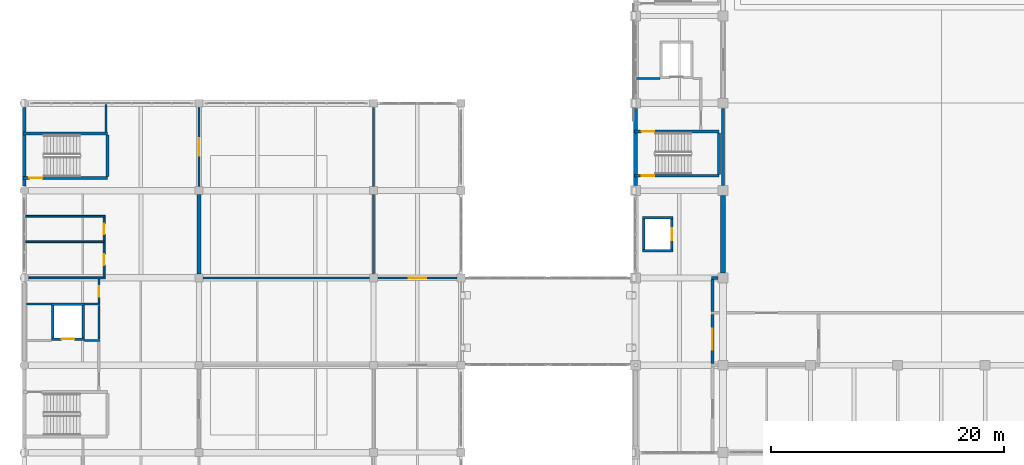
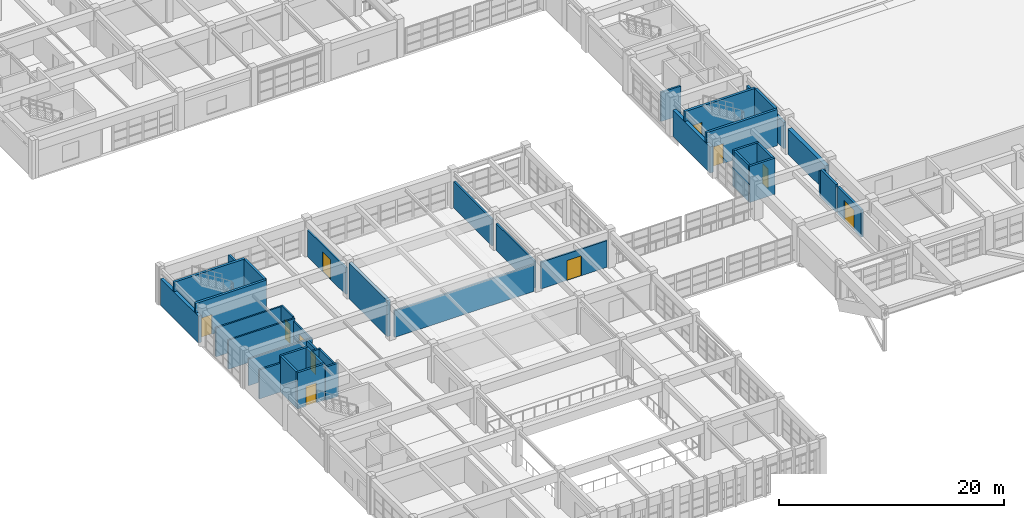
# One storey, part 100 of 132: 39 walls, 11 doors, 11 openings.
"""IFC4 building model written with IfcOpenShell, lengths in metres."""

from ifc_helpers import new_model, si_unit, direction, frame, frame_2d, origin, place, context, subcontext, project, spatial, rectangle, extrude, material, layer, layer_set, type_object, element, fill, save


model = new_model("IFC4")

# Units and contexts
model_context = context("Model", 3, precision=1e-05, world=origin(), true_north=direction((0.0, 1.0)))
body_context = subcontext(model_context, "Body", "Model", "MODEL_VIEW")
ifc_project = project(units=[si_unit("LENGTHUNIT", "METRE"), si_unit("AREAUNIT", "SQUARE_METRE"), si_unit("VOLUMEUNIT", "CUBIC_METRE"), si_unit("PLANEANGLEUNIT", "RADIAN"), si_unit("MASSUNIT", "GRAM", prefix="KILO")], contexts=[model_context])

# Site, building, storey
site_placement = place(None, origin())
site = spatial("IfcSite", under=ifc_project, at=site_placement, CompositionType="ELEMENT")
building_placement = place(site_placement, origin())
building = spatial("IfcBuilding", under=site, at=building_placement, Name="Qasida Concert Hall", CompositionType="ELEMENT")
storey_placement = place(building_placement, frame((0.0, 0.0, 4.800048828125)))
storey = spatial("IfcBuildingStorey", under=building, at=storey_placement, Name="L01", CompositionType="ELEMENT", Elevation=4.800048828125)

# Walls
ifc_material_1 = material(Name="Concrete C40/50", Category="concrete")
ifc_layer_1 = layer(ifc_material_1, 0.219970703125, Name="Concrete C40/50")
ifc_layer_set_1 = layer_set([ifc_layer_1], Name="Concrete C40/50")
wall_type_1 = type_object("IfcWallType", Name="WL-CW-220", PredefinedType="SOLIDWALL", material=ifc_layer_set_1)
for number, where, z_axis, x_axis, name in (
    (1, (53.090087890625, 39.85009765625, 0.0), (0.0, 0.0, 1.0), (1.0, 0.0, 0.0), "L01 LF-01 lift shaft wall S"),
    (2, (53.090087890625, 42.64990234375, 0.0), (0.0, 0.0, 1.0), (1.0, 0.0, 0.0), "L01 LF-01 lift shaft wall N"),
):
    element("IfcWall", number, at=place(storey_placement, frame(where, z_axis=z_axis, x_axis=x_axis)), inside=storey, type_object=wall_type_1, Name=name, PredefinedType="SOLIDWALL", context=body_context, shape_type="SweptSolid", body=[
        extrude(rectangle(XDim=2.619873046875, YDim=0.219970703125, at=frame_2d((1.31005859375, 0.0))), origin(), (0.0, 0.0, 1.0), 3.919921875),
    ])
wall_1_placement = place(storey_placement, frame((53.199951171875, 39.9599609375, 0.0), z_axis=(0.0, 0.0, 1.0), x_axis=(0.0, 1.0, 0.0)))
element("IfcWall", 3, at=wall_1_placement, inside=storey, type_object=wall_type_1, Name="L01 LF-01 lift shaft wall W", PredefinedType="SOLIDWALL", context=body_context, shape_type="SweptSolid", body=[
    extrude(rectangle(XDim=2.580078125, YDim=0.219970703125, at=frame_2d((1.2900390625, 0.0))), origin(), (0.0, 0.0, 1.0), 3.919921875),
])

# Wall, opening, door
wall_2_placement = place(storey_placement, frame((55.60009765625, 39.9599609375, 0.0), z_axis=(0.0, 0.0, 1.0), x_axis=(0.0, 1.0, 0.0)))
wall_2 = element("IfcWall", 4, at=wall_2_placement, inside=storey, type_object=wall_type_1, Name="L01 LF-01 lift shaft wall E", PredefinedType="SOLIDWALL", context=body_context, shape_type="SweptSolid", body=[
    extrude(rectangle(XDim=2.580078125, YDim=0.219970703125, at=frame_2d((1.2900390625, 0.0))), origin(), (0.0, 0.0, 1.0), 3.919921875),
])
opening_1_placement = place(wall_2_placement, frame((0.7900390625, 0.0, 0.0)))
opening_1 = element("IfcOpeningElement", 5, at=opening_1_placement, cuts=wall_2, Name="Opening LD-100", PredefinedType="OPENING", context=body_context, shape_type="SweptSolid", body=[
    extrude(rectangle(XDim=1.0, YDim=2.14990234375, at=frame_2d((0.5, 1.074951171875))), frame((0.0, 0.119873046875, 0.0), z_axis=(0.0, -1.0, 0.0), x_axis=(1.0, 0.0, 0.0)), (0.0, 0.0, 1.0), 0.239990234375),
])
ifc_material_2 = material(Name="Brushed bronze passenger lift landing door", Category="steel")
door_type_1 = type_object("IfcDoorType", Name="LD-100", OperationType="SLIDING_TO_LEFT", PredefinedType="DOOR", material=ifc_material_2)
door_1_placement = place(opening_1_placement, origin())
door_1 = element("IfcDoor", 6, at=door_1_placement, inside=storey, type_object=door_type_1, Name="Lift landing door LF-01 L01", OperationType="SLIDING_TO_LEFT", OverallHeight=2.14990234375, OverallWidth=1.0, PredefinedType="DOOR", context=body_context, shape_type="SweptSolid", body=[
    extrude(rectangle(XDim=1.0, YDim=2.14990234375, at=frame_2d((0.5, 1.074951171875))), frame((0.0, 0.02490234375, 0.0), z_axis=(0.0, -1.0, 0.0), x_axis=(1.0, 0.0, 0.0)), (0.0, 0.0, 1.0), 0.050048828125),
])
fill(opening_1, door_1)

wall_3_placement = place(storey_placement, frame((2.340087890625, 32.25, 0.0), z_axis=(0.0, 0.0, 1.0), x_axis=(1.0, 0.0, 0.0)))
wall_3 = element("IfcWall", 7, at=wall_3_placement, inside=storey, type_object=wall_type_1, Name="L01 LF-06 lift shaft wall S", PredefinedType="SOLIDWALL", context=body_context, shape_type="SweptSolid", body=[
    extrude(rectangle(XDim=2.81982421875, YDim=0.219970703125, at=frame_2d((1.409912109375, 0.0))), origin(), (0.0, 0.0, 1.0), 3.919921875),
])
opening_2_placement = place(wall_3_placement, frame((0.860107421875, 0.0, 0.0)))
opening_2 = element("IfcOpeningElement", 8, at=opening_2_placement, cuts=wall_3, Name="Opening LD-110", PredefinedType="OPENING", context=body_context, shape_type="SweptSolid", body=[
    extrude(rectangle(XDim=1.10009765625, YDim=2.14990234375, at=frame_2d((0.550048828125, 1.074951171875))), frame((0.0, 0.119873046875, 0.0), z_axis=(0.0, -1.0, 0.0), x_axis=(1.0, 0.0, 0.0)), (0.0, 0.0, 1.0), 0.239990234375),
])
ifc_material_3 = material(Name="Firefighting lift sliding landing door", Category="steel")
door_type_2 = type_object("IfcDoorType", Name="LD-110", OperationType="SLIDING_TO_LEFT", PredefinedType="DOOR", material=ifc_material_3)
door_2_placement = place(opening_2_placement, origin())
door_2 = element("IfcDoor", 9, at=door_2_placement, inside=storey, type_object=door_type_2, Name="Lift landing door LF-06 L01", OperationType="SLIDING_TO_LEFT", OverallHeight=2.14990234375, OverallWidth=1.10009765625, PredefinedType="DOOR", context=body_context, shape_type="SweptSolid", body=[
    extrude(rectangle(XDim=1.10009765625, YDim=2.14990234375, at=frame_2d((0.550048828125, 1.074951171875))), frame((0.0, 0.02490234375, 0.0), z_axis=(0.0, -1.0, 0.0), x_axis=(1.0, 0.0, 0.0)), (0.0, 0.0, 1.0), 0.050048828125),
])
fill(opening_2, door_2)

# Walls
wall_4_placement = place(storey_placement, frame((2.340087890625, 35.25, 0.0), z_axis=(0.0, 0.0, 1.0), x_axis=(1.0, 0.0, 0.0)))
element("IfcWall", 10, at=wall_4_placement, inside=storey, type_object=wall_type_1, Name="L01 LF-06 lift shaft wall N", PredefinedType="SOLIDWALL", context=body_context, shape_type="SweptSolid", body=[
    extrude(rectangle(XDim=2.81982421875, YDim=0.219970703125, at=frame_2d((1.409912109375, 0.0))), origin(), (0.0, 0.0, 1.0), 3.919921875),
])
for number, where, z_axis, x_axis, name in (
    (11, (2.449951171875, 32.360107421875, 0.0), (0.0, 0.0, 1.0), (0.0, 1.0, 0.0), "L01 LF-06 lift shaft wall W"),
    (12, (5.050048828125, 32.360107421875, 0.0), (0.0, 0.0, 1.0), (0.0, 1.0, 0.0), "L01 LF-06 lift shaft wall E"),
):
    element("IfcWall", number, at=place(storey_placement, frame(where, z_axis=z_axis, x_axis=x_axis)), inside=storey, type_object=wall_type_1, Name=name, PredefinedType="SOLIDWALL", context=body_context, shape_type="SweptSolid", body=[
        extrude(rectangle(XDim=2.77978515625, YDim=0.219970703125, at=frame_2d((1.389892578125, 0.0))), origin(), (0.0, 0.0, 1.0), 3.919921875),
    ])

# Wall, opening, door
ifc_layer_2 = layer(ifc_material_1, 0.25, Name="Concrete C40/50")
ifc_layer_set_2 = layer_set([ifc_layer_2], Name="Concrete C40/50")
wall_type_2 = type_object("IfcWallType", Name="WL-CW-250", PredefinedType="SOLIDWALL", material=ifc_layer_set_2)
wall_5_placement = place(storey_placement, frame((52.3798828125, 46.27490234375, 0.0), z_axis=(0.0, 0.0, 1.0), x_axis=(1.0, 0.0, 0.0)))
wall_5 = element("IfcWall", 13, at=wall_5_placement, inside=storey, type_object=wall_type_2, Name="L01 ST-01 stairwell wall S", PredefinedType="SOLIDWALL", context=body_context, shape_type="SweptSolid", body=[
    extrude(rectangle(XDim=7.260009765625, YDim=0.25, at=frame_2d((3.6298828125, 0.0))), origin(), (0.0, 0.0, 1.0), 3.919921875),
])
opening_3_placement = place(wall_5_placement, frame((0.6201171875, 0.0, 0.0)))
opening_3 = element("IfcOpeningElement", 14, at=opening_3_placement, cuts=wall_5, Name="Opening FD-110", PredefinedType="OPENING", context=body_context, shape_type="SweptSolid", body=[
    extrude(rectangle(XDim=1.10009765625, YDim=2.14990234375, at=frame_2d((0.550048828125, 1.074951171875))), frame((0.0, 0.135009765625, 0.0), z_axis=(0.0, -1.0, 0.0), x_axis=(1.0, 0.0, 0.0)), (0.0, 0.0, 1.0), 0.27001953125),
])
ifc_material_4 = material(Name="Steel fire-rated stair/lobby door set", Category="steel")
door_type_3 = type_object("IfcDoorType", Name="FD-110", OperationType="NOTDEFINED", PredefinedType="DOOR", material=ifc_material_4)
door_3_placement = place(opening_3_placement, origin())
door_3 = element("IfcDoor", 15, at=door_3_placement, inside=storey, type_object=door_type_3, Name="L01 ST-01 rated stair door", OperationType="SINGLE_SWING_LEFT", OverallHeight=2.14990234375, OverallWidth=1.10009765625, PredefinedType="DOOR", context=body_context, shape_type="SweptSolid", body=[
    extrude(rectangle(XDim=1.10009765625, YDim=2.14990234375, at=frame_2d((0.550048828125, 1.074951171875))), frame((0.0, 0.02490234375, 0.0), z_axis=(0.0, -1.0, 0.0), x_axis=(1.0, 0.0, 0.0)), (0.0, 0.0, 1.0), 0.050048828125),
])
fill(opening_3, door_3)

wall_6_placement = place(storey_placement, frame((52.3798828125, 50.0849609375, 0.0), z_axis=(0.0, 0.0, 1.0), x_axis=(1.0, 0.0, 0.0)))
wall_6 = element("IfcWall", 16, at=wall_6_placement, inside=storey, type_object=wall_type_2, Name="L01 ST-01 stairwell wall N", PredefinedType="SOLIDWALL", context=body_context, shape_type="SweptSolid", body=[
    extrude(rectangle(XDim=7.260009765625, YDim=0.25, at=frame_2d((3.6298828125, 0.0))), origin(), (0.0, 0.0, 1.0), 3.919921875),
])
opening_4_placement = place(wall_6_placement, frame((0.6201171875, 0.0, 0.0)))
opening_4 = element("IfcOpeningElement", 17, at=opening_4_placement, cuts=wall_6, Name="Opening FD-110", PredefinedType="OPENING", context=body_context, shape_type="SweptSolid", body=[
    extrude(rectangle(XDim=1.10009765625, YDim=2.14990234375, at=frame_2d((0.550048828125, 1.074951171875))), frame((0.0, 0.135009765625, 0.0), z_axis=(0.0, -1.0, 0.0), x_axis=(1.0, 0.0, 0.0)), (0.0, 0.0, 1.0), 0.27001953125),
])
door_4_placement = place(opening_4_placement, frame((1.10009765625, 0.0, 0.0), z_axis=(0.0, 0.0, 1.0), x_axis=(-1.0, 0.0, 0.0)))
door_4 = element("IfcDoor", 18, at=door_4_placement, inside=storey, type_object=door_type_3, Name="L01 ST-01 rated stair door", OperationType="SINGLE_SWING_RIGHT", OverallHeight=2.14990234375, OverallWidth=1.10009765625, PredefinedType="DOOR", context=body_context, shape_type="SweptSolid", body=[
    extrude(rectangle(XDim=1.10009765625, YDim=2.14990234375, at=frame_2d((0.550048828125, 1.074951171875))), frame((0.0, 0.02490234375, 0.0), z_axis=(0.0, -1.0, 0.0), x_axis=(1.0, 0.0, 0.0)), (0.0, 0.0, 1.0), 0.050048828125),
])
fill(opening_4, door_4)

# Wall
wall_7_placement = place(storey_placement, frame((59.64501953125, 46.39990234375, 0.0), z_axis=(0.0, 0.0, 1.0), x_axis=(0.0, 1.0, 0.0)))
element("IfcWall", 19, at=wall_7_placement, inside=storey, type_object=wall_type_2, Name="L01 ST-01 stairwell wall E", PredefinedType="SOLIDWALL", context=body_context, shape_type="SweptSolid", body=[
    extrude(rectangle(XDim=3.56005859375, YDim=0.25, at=frame_2d((1.780029296875, 0.0))), origin(), (0.0, 0.0, 1.0), 3.919921875),
])

# Wall, opening, door
wall_8_placement = place(storey_placement, frame((-0.1201171875, 46.074951171875, 0.0), z_axis=(0.0, 0.0, 1.0), x_axis=(1.0, 0.0, 0.0)))
wall_8 = element("IfcWall", 20, at=wall_8_placement, inside=storey, type_object=wall_type_2, Name="L01 ST-04 stairwell wall S", PredefinedType="SOLIDWALL", context=body_context, shape_type="SweptSolid", body=[
    extrude(rectangle(XDim=7.260009765625, YDim=0.25, at=frame_2d((3.6298828125, 0.0))), origin(), (0.0, 0.0, 1.0), 3.919921875),
])
opening_5_placement = place(wall_8_placement, frame((0.56005859375, 0.0, 0.0)))
opening_5 = element("IfcOpeningElement", 21, at=opening_5_placement, cuts=wall_8, Name="Opening FD-110", PredefinedType="OPENING", context=body_context, shape_type="SweptSolid", body=[
    extrude(rectangle(XDim=1.10009765625, YDim=2.14990234375, at=frame_2d((0.550048828125, 1.074951171875))), frame((0.0, 0.135009765625, 0.0), z_axis=(0.0, -1.0, 0.0), x_axis=(1.0, 0.0, 0.0)), (0.0, 0.0, 1.0), 0.27001953125),
])
door_5_placement = place(opening_5_placement, origin())
door_5 = element("IfcDoor", 22, at=door_5_placement, inside=storey, type_object=door_type_3, Name="L01 ST-04 rated stair door", OperationType="SINGLE_SWING_LEFT", OverallHeight=2.14990234375, OverallWidth=1.10009765625, PredefinedType="DOOR", context=body_context, shape_type="SweptSolid", body=[
    extrude(rectangle(XDim=1.10009765625, YDim=2.14990234375, at=frame_2d((0.550048828125, 1.074951171875))), frame((0.0, 0.02490234375, 0.0), z_axis=(0.0, -1.0, 0.0), x_axis=(1.0, 0.0, 0.0)), (0.0, 0.0, 1.0), 0.050048828125),
])
fill(opening_5, door_5)

# Walls
wall_9_placement = place(storey_placement, frame((-0.1201171875, 49.885009765625, 0.0), z_axis=(0.0, 0.0, 1.0), x_axis=(1.0, 0.0, 0.0)))
element("IfcWall", 23, at=wall_9_placement, inside=storey, type_object=wall_type_2, Name="L01 ST-04 stairwell wall N", PredefinedType="SOLIDWALL", context=body_context, shape_type="SweptSolid", body=[
    extrude(rectangle(XDim=7.260009765625, YDim=0.25, at=frame_2d((3.6298828125, 0.0))), origin(), (0.0, 0.0, 1.0), 3.919921875),
])
wall_10_placement = place(storey_placement, frame((7.14501953125, 46.199951171875, 0.0), z_axis=(0.0, 0.0, 1.0), x_axis=(0.0, 1.0, 0.0)))
element("IfcWall", 24, at=wall_10_placement, inside=storey, type_object=wall_type_2, Name="L01 ST-04 stairwell wall E", PredefinedType="SOLIDWALL", context=body_context, shape_type="SweptSolid", body=[
    extrude(rectangle(XDim=3.56005859375, YDim=0.25, at=frame_2d((1.780029296875, 0.0))), origin(), (0.0, 0.0, 1.0), 3.919921875),
])
ifc_material_5 = material(Name="Precast concrete C40/50", Category="concrete")
ifc_layer_3 = layer(ifc_material_5, 0.320068359375, Name="Precast concrete C40/50")
ifc_layer_set_3 = layer_set([ifc_layer_3], Name="Precast concrete C40/50")
wall_type_3 = type_object("IfcWallType", Name="WL-EW-320", PredefinedType="SOLIDWALL", material=ifc_layer_set_3)
wall_11_placement = place(storey_placement, frame((0.0, 45.385009765625, 0.0), z_axis=(0.0, 0.0, 1.0), x_axis=(0.0, 1.0, 0.0)))
element("IfcWall", 25, at=wall_11_placement, inside=storey, type_object=wall_type_3, Name="L01 exterior wall EW-320 0127", PredefinedType="SOLIDWALL", context=body_context, shape_type="SweptSolid", body=[
    extrude(rectangle(XDim=6.72998046875, YDim=0.320068359375, at=frame_2d((3.364990234375, 0.0))), origin(), (0.0, 0.0, 1.0), 2.889892578125),
])
ifc_layer_4 = layer(ifc_material_5, 0.340087890625, Name="Precast concrete C40/50")
ifc_layer_set_4 = layer_set([ifc_layer_4], Name="Precast concrete C40/50")
wall_type_4 = type_object("IfcWallType", Name="WL-EW-340", PredefinedType="SOLIDWALL", material=ifc_layer_set_4)
wall_12_placement = place(storey_placement, frame((52.5, 45.43505859375, 0.0), z_axis=(0.0, 0.0, 1.0), x_axis=(0.0, 1.0, 0.0)))
element("IfcWall", 26, at=wall_12_placement, inside=storey, type_object=wall_type_4, Name="L01 exterior wall EW-340 0033", PredefinedType="SOLIDWALL", context=body_context, shape_type="SweptSolid", body=[
    extrude(rectangle(XDim=6.6298828125, YDim=0.340087890625, at=frame_2d((3.31494140625, 0.0))), origin(), (0.0, 0.0, 1.0), 2.83984375),
])
ifc_material_6 = material(Name="Moisture-resistant gypsum partition", Category="gypsum")
ifc_layer_5 = layer(ifc_material_6, 0.159912109375, Name="Moisture-resistant gypsum partition")
ifc_layer_set_5 = layer_set([ifc_layer_5], Name="Moisture-resistant gypsum partition")
wall_type_5 = type_object("IfcWallType", Name="WL-PW-160", PredefinedType="PARTITIONING", material=ifc_layer_set_5)
wall_13_placement = place(storey_placement, frame((0.388916015625, 37.5, 0.0), z_axis=(0.0, 0.0, 1.0), x_axis=(1.0, 0.0, 0.0)))
element("IfcWall", 27, at=wall_13_placement, inside=storey, type_object=wall_type_5, Name="L01 partition PW-160 0126", PredefinedType="PARTITIONING", context=body_context, shape_type="SweptSolid", body=[
    extrude(rectangle(XDim=6.56103515625, YDim=0.159912109375, at=frame_2d((3.280517578125, 0.0))), origin(), (0.0, 0.0, 1.0), 2.889892578125),
])
for number, where, z_axis, x_axis, name in (
    (28, (0.112060546875, 40.60009765625, 0.0), (0.0, 0.0, 1.0), (1.0, 0.0, 0.0), "L01 partition PW-160 0130"),
    (29, (0.112060546875, 42.800048828125, 0.0), (0.0, 0.0, 1.0), (1.0, 0.0, 0.0), "L01 partition PW-160 0131"),
):
    element("IfcWall", number, at=place(storey_placement, frame(where, z_axis=z_axis, x_axis=x_axis)), inside=storey, type_object=wall_type_5, Name=name, PredefinedType="PARTITIONING", context=body_context, shape_type="SweptSolid", body=[
        extrude(rectangle(XDim=6.837890625, YDim=0.159912109375, at=frame_2d((3.4189453125, 0.0))), origin(), (0.0, 0.0, 1.0), 3.139892578125),
    ])

# Wall, opening, door
wall_14_placement = place(storey_placement, frame((6.85009765625, 37.593994140625, 0.0), z_axis=(0.0, 0.0, 1.0), x_axis=(0.0, 1.0, 0.0)))
wall_14 = element("IfcWall", 30, at=wall_14_placement, inside=storey, type_object=wall_type_5, Name="L01 partition PW-160 0132", PredefinedType="PARTITIONING", context=body_context, shape_type="SweptSolid", body=[
    extrude(rectangle(XDim=2.912109375, YDim=0.159912109375, at=frame_2d((1.4560546875, 0.0))), origin(), (0.0, 0.0, 1.0), 2.889892578125),
])
opening_6_placement = place(wall_14_placement, frame((0.98095703125, 0.0, 0.0)))
opening_6 = element("IfcOpeningElement", 31, at=opening_6_placement, cuts=wall_14, Name="Opening ID-095", PredefinedType="OPENING", context=body_context, shape_type="SweptSolid", body=[
    extrude(rectangle(XDim=0.949951171875, YDim=2.10009765625, at=frame_2d((0.47509765625, 1.050048828125))), frame((0.0, 0.08984375, 0.0), z_axis=(0.0, -1.0, 0.0), x_axis=(1.0, 0.0, 0.0)), (0.0, 0.0, 1.0), 0.179931640625),
])
ifc_material_7 = material(Name="Quarter-sawn oak accessible WC door", Category="wood")
door_type_4 = type_object("IfcDoorType", Name="ID-095", OperationType="NOTDEFINED", PredefinedType="DOOR", material=ifc_material_7)
door_6_placement = place(opening_6_placement, origin())
door_6 = element("IfcDoor", 32, at=door_6_placement, inside=storey, type_object=door_type_4, Name="L01 Accessible WC door", OperationType="SINGLE_SWING_LEFT", OverallHeight=2.10009765625, OverallWidth=0.949951171875, PredefinedType="DOOR", context=body_context, shape_type="SweptSolid", body=[
    extrude(rectangle(XDim=0.949951171875, YDim=2.10009765625, at=frame_2d((0.47509765625, 1.050048828125))), frame((0.0, 0.02490234375, 0.0), z_axis=(0.0, -1.0, 0.0), x_axis=(1.0, 0.0, 0.0)), (0.0, 0.0, 1.0), 0.050048828125),
])
fill(opening_6, door_6)

wall_15_placement = place(storey_placement, frame((6.85009765625, 40.694091796875, 0.0), z_axis=(0.0, 0.0, 1.0), x_axis=(0.0, 1.0, 0.0)))
wall_15 = element("IfcWall", 33, at=wall_15_placement, inside=storey, type_object=wall_type_5, Name="L01 partition PW-160 0133", PredefinedType="PARTITIONING", context=body_context, shape_type="SweptSolid", body=[
    extrude(rectangle(XDim=2.011962890625, YDim=0.159912109375, at=frame_2d((1.005859375, 0.0))), origin(), (0.0, 0.0, 1.0), 3.27001953125),
])
opening_7_placement = place(wall_15_placement, frame((0.555908203125, 0.0, 0.0)))
opening_7 = element("IfcOpeningElement", 34, at=opening_7_placement, cuts=wall_15, Name="Opening ID-090", PredefinedType="OPENING", context=body_context, shape_type="SweptSolid", body=[
    extrude(rectangle(XDim=0.89990234375, YDim=2.10009765625, at=frame_2d((0.449951171875, 1.050048828125))), frame((0.0, 0.08984375, 0.0), z_axis=(0.0, -1.0, 0.0), x_axis=(1.0, 0.0, 0.0)), (0.0, 0.0, 1.0), 0.179931640625),
])
ifc_material_8 = material(Name="Quarter-sawn oak flush room door", Category="wood")
door_type_5 = type_object("IfcDoorType", Name="ID-090", OperationType="NOTDEFINED", PredefinedType="DOOR", material=ifc_material_8)
door_7_placement = place(opening_7_placement, origin())
door_7 = element("IfcDoor", 35, at=door_7_placement, inside=storey, type_object=door_type_5, Name="L01 Family care suite door", OperationType="SINGLE_SWING_RIGHT", OverallHeight=2.10009765625, OverallWidth=0.89990234375, PredefinedType="DOOR", context=body_context, shape_type="SweptSolid", body=[
    extrude(rectangle(XDim=0.89990234375, YDim=2.10009765625, at=frame_2d((0.449951171875, 1.050048828125))), frame((0.0, 0.02490234375, 0.0), z_axis=(0.0, -1.0, 0.0), x_axis=(1.0, 0.0, 0.0)), (0.0, 0.0, 1.0), 0.050048828125),
])
fill(opening_7, door_7)

# Walls
ifc_material_9 = material(Name="Acoustic metal-stud gypsum partition", Category="gypsum")
ifc_layer_6 = layer(ifc_material_9, 0.179931640625, Name="Acoustic metal-stud gypsum partition")
ifc_layer_set_6 = layer_set([ifc_layer_6], Name="Acoustic metal-stud gypsum partition")
wall_type_6 = type_object("IfcWallType", Name="WL-PW-180", PredefinedType="PARTITIONING", material=ifc_layer_set_6)
wall_16_placement = place(storey_placement, frame((0.174072265625, 35.25, 0.0), z_axis=(0.0, 0.0, 1.0), x_axis=(1.0, 0.0, 0.0)))
element("IfcWall", 36, at=wall_16_placement, inside=storey, type_object=wall_type_6, Name="L01 partition PW-180 0124", PredefinedType="PARTITIONING", context=body_context, shape_type="SweptSolid", body=[
    extrude(rectangle(XDim=2.166015625, YDim=0.179931640625, at=frame_2d((1.0830078125, 0.0))), origin(), (0.0, 0.0, 1.0), 3.139892578125),
])
wall_17_placement = place(storey_placement, frame((5.159912109375, 35.25, 0.0), z_axis=(0.0, 0.0, 1.0), x_axis=(1.0, 0.0, 0.0)))
element("IfcWall", 37, at=wall_17_placement, inside=storey, type_object=wall_type_6, Name="L01 partition PW-180 0125", PredefinedType="PARTITIONING", context=body_context, shape_type="SweptSolid", body=[
    extrude(rectangle(XDim=1.340087890625, YDim=0.179931640625, at=frame_2d((0.669921875, 0.0))), origin(), (0.0, 0.0, 1.0), 3.27001953125),
])
wall_18_placement = place(storey_placement, frame((6.39990234375, 32.243896484375, 0.0), z_axis=(0.0, 0.0, 1.0), x_axis=(0.0, 1.0, 0.0)))
element("IfcWall", 38, at=wall_18_placement, inside=storey, type_object=wall_type_6, Name="L01 partition PW-180 0127", PredefinedType="PARTITIONING", context=body_context, shape_type="SweptSolid", body=[
    extrude(rectangle(XDim=2.902099609375, YDim=0.179931640625, at=frame_2d((1.451171875, 0.0))), origin(), (0.0, 0.0, 1.0), 3.27001953125),
])

# Wall, opening, door
wall_19_placement = place(storey_placement, frame((6.39990234375, 35.35400390625, 0.0), z_axis=(0.0, 0.0, 1.0), x_axis=(0.0, 1.0, 0.0)))
wall_19 = element("IfcWall", 39, at=wall_19_placement, inside=storey, type_object=wall_type_6, Name="L01 partition PW-180 0128", PredefinedType="PARTITIONING", context=body_context, shape_type="SweptSolid", body=[
    extrude(rectangle(XDim=2.052001953125, YDim=0.179931640625, at=frame_2d((1.02587890625, 0.0))), origin(), (0.0, 0.0, 1.0), 2.889892578125),
])
opening_8_placement = place(wall_19_placement, frame((0.5458984375, 0.0, 0.0)))
opening_8 = element("IfcOpeningElement", 40, at=opening_8_placement, cuts=wall_19, Name="Opening ID-090", PredefinedType="OPENING", context=body_context, shape_type="SweptSolid", body=[
    extrude(rectangle(XDim=0.89990234375, YDim=2.10009765625, at=frame_2d((0.449951171875, 1.050048828125))), frame((0.0, 0.099853515625, 0.0), z_axis=(0.0, -1.0, 0.0), x_axis=(1.0, 0.0, 0.0)), (0.0, 0.0, 1.0), 0.199951171875),
])
door_8_placement = place(opening_8_placement, origin())
door_8 = element("IfcDoor", 41, at=door_8_placement, inside=storey, type_object=door_type_5, Name="L01 Custodial service room door", OperationType="SINGLE_SWING_RIGHT", OverallHeight=2.10009765625, OverallWidth=0.89990234375, PredefinedType="DOOR", context=body_context, shape_type="SweptSolid", body=[
    extrude(rectangle(XDim=0.89990234375, YDim=2.10009765625, at=frame_2d((0.449951171875, 1.050048828125))), frame((0.0, 0.02490234375, 0.0), z_axis=(0.0, -1.0, 0.0), x_axis=(1.0, 0.0, 0.0)), (0.0, 0.0, 1.0), 0.050048828125),
])
fill(opening_8, door_8)

# Walls
wall_20_placement = place(storey_placement, frame((7.02001953125, 50.02392578125, 0.0), z_axis=(0.0, 0.0, 1.0), x_axis=(0.0, 1.0, 0.0)))
element("IfcWall", 42, at=wall_20_placement, inside=storey, type_object=wall_type_6, Name="L01 partition PW-180 0129", PredefinedType="PARTITIONING", context=body_context, shape_type="SweptSolid", body=[
    extrude(rectangle(XDim=2.364013671875, YDim=0.179931640625, at=frame_2d((1.18212890625, 0.0))), origin(), (0.0, 0.0, 1.0), 2.889892578125),
])
wall_21_placement = place(storey_placement, frame((15.35400390625, 37.5, 0.0), z_axis=(0.0, 0.0, 1.0), x_axis=(1.0, 0.0, 0.0)))
element("IfcWall", 43, at=wall_21_placement, inside=storey, type_object=wall_type_6, Name="L01 partition PW-180 0191", PredefinedType="PARTITIONING", context=body_context, shape_type="SweptSolid", body=[
    extrude(rectangle(XDim=14.2919921875, YDim=0.179931640625, at=frame_2d((7.14599609375, 0.0))), origin(), (0.0, 0.0, 1.0), 2.889892578125),
])

# Wall, opening, door
wall_22_placement = place(storey_placement, frame((30.35400390625, 37.5, 0.0), z_axis=(0.0, 0.0, 1.0), x_axis=(1.0, 0.0, 0.0)))
wall_22 = element("IfcWall", 44, at=wall_22_placement, inside=storey, type_object=wall_type_6, Name="L01 partition PW-180 0192", PredefinedType="PARTITIONING", context=body_context, shape_type="SweptSolid", body=[
    extrude(rectangle(XDim=6.7919921875, YDim=0.179931640625, at=frame_2d((3.39599609375, 0.0))), origin(), (0.0, 0.0, 1.0), 2.889892578125),
])
opening_9_placement = place(wall_22_placement, frame((2.64599609375, 0.0, 0.0)))
opening_9 = element("IfcOpeningElement", 45, at=opening_9_placement, cuts=wall_22, Name="Opening ID-150", PredefinedType="OPENING", context=body_context, shape_type="SweptSolid", body=[
    extrude(rectangle(XDim=1.5, YDim=2.159912109375, at=frame_2d((0.75, 1.080078125))), frame((0.0, 0.099853515625, 0.0), z_axis=(0.0, -1.0, 0.0), x_axis=(1.0, 0.0, 0.0)), (0.0, 0.0, 1.0), 0.199951171875),
])
ifc_material_10 = material(Name="Bronze-framed glazed foyer door", Category="aluminium")
door_type_6 = type_object("IfcDoorType", Name="ID-150", OperationType="NOTDEFINED", PredefinedType="DOOR", material=ifc_material_10)
door_9_placement = place(opening_9_placement, origin())
door_9 = element("IfcDoor", 46, at=door_9_placement, inside=storey, type_object=door_type_6, Name="L01 Donor lounge door", OperationType="SINGLE_SWING_RIGHT", OverallHeight=2.159912109375, OverallWidth=1.5, PredefinedType="DOOR", context=body_context, shape_type="SweptSolid", body=[
    extrude(rectangle(XDim=1.5, YDim=2.159912109375, at=frame_2d((0.75, 1.080078125))), frame((0.0, 0.02490234375, 0.0), z_axis=(0.0, -1.0, 0.0), x_axis=(1.0, 0.0, 0.0)), (0.0, 0.0, 1.0), 0.050048828125),
])
fill(opening_9, door_9)

# Walls
for number, where, z_axis, x_axis, name in (
    (47, (30.0, 37.85400390625, 0.0), (0.0, 0.0, 1.0), (0.0, 1.0, 0.0), "L01 partition PW-180 0195"),
    (48, (30.0, 45.35400390625, 0.0), (0.0, 0.0, 1.0), (0.0, 1.0, 0.0), "L01 partition PW-180 0196"),
):
    element("IfcWall", number, at=place(storey_placement, frame(where, z_axis=z_axis, x_axis=x_axis)), inside=storey, type_object=wall_type_6, Name=name, PredefinedType="PARTITIONING", context=body_context, shape_type="SweptSolid", body=[
        extrude(rectangle(XDim=6.7919921875, YDim=0.179931640625, at=frame_2d((3.39599609375, 0.0))), origin(), (0.0, 0.0, 1.0), 2.889892578125),
    ])

# Wall, opening, door
wall_23_placement = place(storey_placement, frame((15.0, 45.35400390625, 0.0), z_axis=(0.0, 0.0, 1.0), x_axis=(0.0, 1.0, 0.0)))
wall_23 = element("IfcWall", 49, at=wall_23_placement, inside=storey, type_object=wall_type_6, Name="L01 partition PW-180 0200", PredefinedType="PARTITIONING", context=body_context, shape_type="SweptSolid", body=[
    extrude(rectangle(XDim=6.7919921875, YDim=0.179931640625, at=frame_2d((3.39599609375, 0.0))), origin(), (0.0, 0.0, 1.0), 2.889892578125),
])
opening_10_placement = place(wall_23_placement, frame((2.64599609375, 0.0, 0.0)))
opening_10 = element("IfcOpeningElement", 50, at=opening_10_placement, cuts=wall_23, Name="Opening ID-150", PredefinedType="OPENING", context=body_context, shape_type="SweptSolid", body=[
    extrude(rectangle(XDim=1.5, YDim=2.159912109375, at=frame_2d((0.75, 1.080078125))), frame((0.0, 0.099853515625, 0.0), z_axis=(0.0, -1.0, 0.0), x_axis=(1.0, 0.0, 0.0)), (0.0, 0.0, 1.0), 0.199951171875),
])
door_10_placement = place(opening_10_placement, origin())
door_10 = element("IfcDoor", 51, at=door_10_placement, inside=storey, type_object=door_type_6, Name="L01 Interval bar north door", OperationType="SINGLE_SWING_LEFT", OverallHeight=2.159912109375, OverallWidth=1.5, PredefinedType="DOOR", context=body_context, shape_type="SweptSolid", body=[
    extrude(rectangle(XDim=1.5, YDim=2.159912109375, at=frame_2d((0.75, 1.080078125))), frame((0.0, 0.02490234375, 0.0), z_axis=(0.0, -1.0, 0.0), x_axis=(1.0, 0.0, 0.0)), (0.0, 0.0, 1.0), 0.050048828125),
])
fill(opening_10, door_10)

# Walls
ifc_material_11 = material(Name="Acoustic gypsum block and mineral wool", Category="gypsum")
ifc_layer_7 = layer(ifc_material_11, 0.199951171875, Name="Acoustic gypsum block and mineral wool")
ifc_layer_set_7 = layer_set([ifc_layer_7], Name="Acoustic gypsum block and mineral wool")
wall_type_7 = type_object("IfcWallType", Name="WL-PW-200", PredefinedType="PARTITIONING", material=ifc_layer_set_7)
wall_24_placement = place(storey_placement, frame((52.56005859375, 54.6298828125, 0.0), z_axis=(0.0, 0.0, 1.0), x_axis=(1.0, 0.0, 0.0)))
element("IfcWall", 52, at=wall_24_placement, inside=storey, type_object=wall_type_7, Name="L01 LF-03 firefighting lobby return wall", PredefinedType="PARTITIONING", context=body_context, shape_type="SweptSolid", body=[
    extrude(rectangle(XDim=2.014892578125, YDim=0.199951171875, at=frame_2d((1.00732421875, 0.0))), origin(), (0.0, 0.0, 1.0), 3.14990234375),
])
wall_25_placement = place(storey_placement, frame((5.175048828125, 32.1298828125, 0.0), z_axis=(0.0, 0.0, 1.0), x_axis=(1.0, 0.0, 0.0)))
element("IfcWall", 53, at=wall_25_placement, inside=storey, type_object=wall_type_7, Name="L01 LF-06 firefighting lobby return wall", PredefinedType="PARTITIONING", context=body_context, shape_type="SweptSolid", body=[
    extrude(rectangle(XDim=1.3349609375, YDim=0.199951171875, at=frame_2d((0.66748046875, 0.0))), origin(), (0.0, 0.0, 1.0), 3.599853515625),
])
ifc_material_12 = material(Name="Double-stud acoustic gypsum and mineral wool", Category="gypsum")
ifc_layer_8 = layer(ifc_material_12, 0.239990234375, Name="Double-stud acoustic gypsum and mineral wool")
ifc_layer_set_8 = layer_set([ifc_layer_8], Name="Double-stud acoustic gypsum and mineral wool")
wall_type_8 = type_object("IfcWallType", Name="WL-PW-240", PredefinedType="PARTITIONING", material=ifc_layer_set_8)
wall_26_placement = place(storey_placement, frame((59.0, 37.5, 0.0), z_axis=(0.0, 0.0, 1.0), x_axis=(1.0, 0.0, 0.0)))
element("IfcWall", 54, at=wall_26_placement, inside=storey, type_object=wall_type_8, Name="L01 partition PW-240 0435", PredefinedType="PARTITIONING", context=body_context, shape_type="SweptSolid", body=[
    extrude(rectangle(XDim=0.56103515625, YDim=0.239990234375, at=frame_2d((0.280517578125, 0.0))), origin(), (0.0, 0.0, 1.0), 2.68994140625),
])

# Wall, opening, door
wall_27_placement = place(storey_placement, frame((59.10009765625, 30.134033203125, 0.0), z_axis=(0.0, 0.0, 1.0), x_axis=(0.0, 1.0, 0.0)))
wall_27 = element("IfcWall", 55, at=wall_27_placement, inside=storey, type_object=wall_type_8, Name="L01 partition PW-240 0446", PredefinedType="PARTITIONING", context=body_context, shape_type="SweptSolid", body=[
    extrude(rectangle(XDim=4.23193359375, YDim=0.239990234375, at=frame_2d((2.115966796875, 0.0))), origin(), (0.0, 0.0, 1.0), 2.93994140625),
])
opening_11_placement = place(wall_27_placement, frame((1.216064453125, 0.0, 0.0)))
opening_11 = element("IfcOpeningElement", 56, at=opening_11_placement, cuts=wall_27, Name="Opening AD-180", PredefinedType="OPENING", context=body_context, shape_type="SweptSolid", body=[
    extrude(rectangle(XDim=1.800048828125, YDim=2.159912109375, at=frame_2d((0.89990234375, 1.080078125))), frame((0.0, 0.1298828125, 0.0), z_axis=(0.0, -1.0, 0.0), x_axis=(1.0, 0.0, 0.0)), (0.0, 0.0, 1.0), 0.260009765625),
])
ifc_material_13 = material(Name="Double-seal Rw 52 dB auditorium vomitory door", Category="wood")
door_type_7 = type_object("IfcDoorType", Name="AD-180", OperationType="NOTDEFINED", PredefinedType="DOOR", material=ifc_material_13)
door_11_placement = place(opening_11_placement, origin())
door_11 = element("IfcDoor", 57, at=door_11_placement, inside=storey, type_object=door_type_7, Name="L01 Stalls west vomitory outer door", OperationType="SINGLE_SWING_LEFT", OverallHeight=2.159912109375, OverallWidth=1.800048828125, PredefinedType="DOOR", context=body_context, shape_type="SweptSolid", body=[
    extrude(rectangle(XDim=1.800048828125, YDim=2.159912109375, at=frame_2d((0.89990234375, 1.080078125))), frame((0.0, 0.02490234375, 0.0), z_axis=(0.0, -1.0, 0.0), x_axis=(1.0, 0.0, 0.0)), (0.0, 0.0, 1.0), 0.050048828125),
])
fill(opening_11, door_11)

# Walls
wall_28_placement = place(storey_placement, frame((59.10009765625, 34.634033203125, 0.0), z_axis=(0.0, 0.0, 1.0), x_axis=(0.0, 1.0, 0.0)))
element("IfcWall", 58, at=wall_28_placement, inside=storey, type_object=wall_type_8, Name="L01 partition PW-240 0447", PredefinedType="PARTITIONING", context=body_context, shape_type="SweptSolid", body=[
    extrude(rectangle(XDim=2.73193359375, YDim=0.239990234375, at=frame_2d((1.365966796875, 0.0))), origin(), (0.0, 0.0, 1.0), 2.989990234375),
])
wall_29_placement = place(storey_placement, frame((60.0, 45.43896484375, 0.0), z_axis=(0.0, 0.0, 1.0), x_axis=(0.0, 1.0, 0.0)))
element("IfcWall", 59, at=wall_29_placement, inside=storey, type_object=wall_type_8, Name="L01 partition PW-240 0451", PredefinedType="PARTITIONING", context=body_context, shape_type="SweptSolid", body=[
    extrude(rectangle(XDim=6.6220703125, YDim=0.239990234375, at=frame_2d((3.31103515625, 0.0))), origin(), (0.0, 0.0, 1.0), 2.83984375),
])
ifc_layer_9 = layer(ifc_material_1, 0.320068359375, Name="Concrete C40/50")
ifc_layer_set_9 = layer_set([ifc_layer_9], Name="Concrete C40/50")
wall_type_9 = type_object("IfcWallType", Name="WL-SW-320", PredefinedType="SHEAR", material=ifc_layer_set_9)
wall_30_placement = place(storey_placement, frame((15.0, 37.840087890625, 0.0), z_axis=(0.0, 0.0, 1.0), x_axis=(0.0, 1.0, 0.0)))
element("IfcWall", 60, at=wall_30_placement, inside=storey, type_object=wall_type_9, Name="L01 V3 foyer shear wall 0019", PredefinedType="SHEAR", context=body_context, shape_type="SweptSolid", body=[
    extrude(rectangle(XDim=6.81982421875, YDim=0.320068359375, at=frame_2d((3.409912109375, 0.0))), origin(), (0.0, 0.0, 1.0), 3.89990234375),
])
ifc_layer_10 = layer(ifc_material_1, 0.39990234375, Name="Concrete C40/50")
ifc_layer_set_10 = layer_set([ifc_layer_10], Name="Concrete C40/50")
wall_type_10 = type_object("IfcWallType", Name="WL-SW-400", PredefinedType="SHEAR", material=ifc_layer_set_10)
wall_31_placement = place(storey_placement, frame((60.0, 37.925048828125, 0.0), z_axis=(0.0, 0.0, 1.0), x_axis=(0.0, 1.0, 0.0)))
element("IfcWall", 61, at=wall_31_placement, inside=storey, type_object=wall_type_10, Name="L01 acoustic box shear wall 0015", PredefinedType="SHEAR", context=body_context, shape_type="SweptSolid", body=[
    extrude(rectangle(XDim=6.64990234375, YDim=0.39990234375, at=frame_2d((3.324951171875, 0.0))), origin(), (0.0, 0.0, 1.0), 2.719970703125),
])

save(model, "model.ifc")
